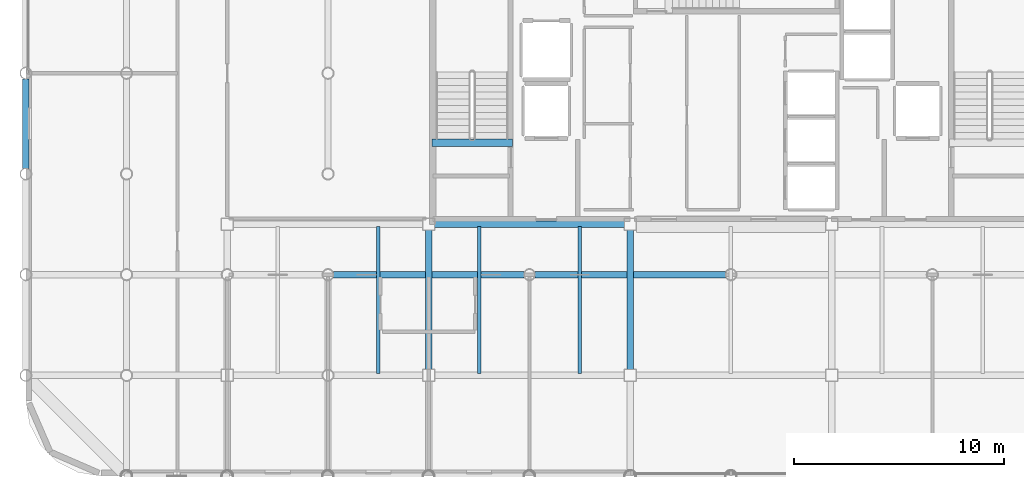
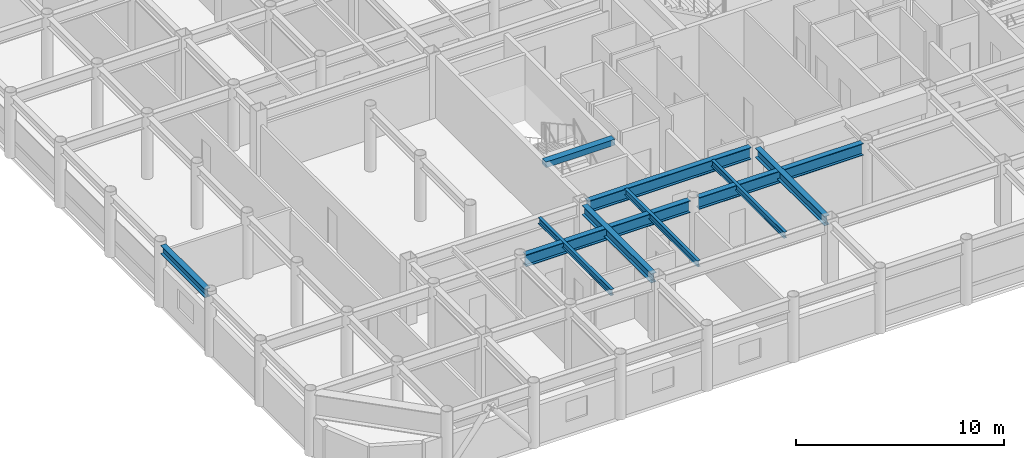
# One storey, part 5 of 22: 10 beams.
"""IFC4 building model written with IfcOpenShell, lengths in metres."""

from ifc_helpers import new_model, si_unit, direction, frame, origin, origin_2d, place, context, subcontext, project, spatial, rectangle, i_section, extrude, material, material_profile, profile_set, type_object, element, save


model = new_model("IFC4")

# Units and contexts
model_context = context("Model", 3, precision=1e-05, world=origin(), true_north=direction((0.0, 1.0)))
body_context = subcontext(model_context, "Body", "Model", "MODEL_VIEW")
ifc_project = project(units=[si_unit("LENGTHUNIT", "METRE"), si_unit("AREAUNIT", "SQUARE_METRE"), si_unit("VOLUMEUNIT", "CUBIC_METRE"), si_unit("PLANEANGLEUNIT", "RADIAN"), si_unit("MASSUNIT", "GRAM", prefix="KILO")], contexts=[model_context])

# Site, building, storey
site_placement = place(None, origin())
site = spatial("IfcSite", under=ifc_project, at=site_placement, CompositionType="ELEMENT")
building_placement = place(site_placement, origin())
building = spatial("IfcBuilding", under=site, at=building_placement, Name="Kallvorn Hotel Tower", CompositionType="ELEMENT")
storey_placement = place(building_placement, frame((0.0, 0.0, 260.800048828125)))
storey = spatial("IfcBuildingStorey", under=building, at=storey_placement, Name="L65", CompositionType="ELEMENT", Elevation=260.800048828125)

# Beams
ifc_material_1 = material(Name="Structural steel S355JR", Category="steel")
ifc_material_profile_1 = material_profile(ifc_material_1, i_section(OverallWidth=0.300048828125, OverallDepth=0.5, WebThickness=0.014404296875, FlangeThickness=0.028076171875, at=origin_2d()), Name="HE 500 B")
ifc_profile_set_1 = profile_set([ifc_material_profile_1], Name="Structural steel S355JR")
beam_type_1 = type_object("IfcBeamType", Name="BM_HE500B", PredefinedType="SPANDREL", material=ifc_profile_set_1)
beam_1_placement = place(storey_placement, frame((-33.60009765625, -4.530517578125, 3.419921875), z_axis=(0.0, 1.0, 0.0), x_axis=(-1.0, 0.0, 0.0)))
element("IfcBeam", 1, at=beam_1_placement, inside=storey, type_object=beam_type_1, Name="L66 Perimeter Spandrel 176", PredefinedType="SPANDREL", context=body_context, shape_type="SweptSolid", body=[
    extrude(i_section(OverallWidth=0.300048828125, OverallDepth=0.5, WebThickness=0.014404296875, FlangeThickness=0.028076171875, at=origin_2d()), origin(), (0.0, 0.0, 1.0), 4.260986328125),
])
ifc_material_2 = material(Name="Structural steel S355JR", Category="steel")
ifc_material_profile_2 = material_profile(ifc_material_2, i_section(OverallWidth=0.300048828125, OverallDepth=0.550048828125, WebThickness=0.014892578125, FlangeThickness=0.029052734375, at=origin_2d()), Name="HE 550 B")
ifc_profile_set_2 = profile_set([ifc_material_profile_2], Name="Structural steel S355JR")
beam_type_2 = type_object("IfcBeamType", Name="BM_HE550B", PredefinedType="SPANDREL", material=ifc_profile_set_2)
for number, where, z_axis, x_axis, name in (
    (2, (-14.39990234375, -14.125, 3.39501953125), (0.0, 1.0, 0.0), (-1.0, 0.0, 0.0), "L66 Primary Y-Girder 99"),
    (3, (-4.800048828125, -14.125, 3.39501953125), (0.0, 1.0, 0.0), (-1.0, 0.0, 0.0), "L66 Primary Y-Girder 107"),
):
    element("IfcBeam", number, at=place(storey_placement, frame(where, z_axis=z_axis, x_axis=x_axis)), inside=storey, type_object=beam_type_2, Name=name, PredefinedType="SPANDREL", context=body_context, shape_type="SweptSolid", body=[
        extrude(i_section(OverallWidth=0.300048828125, OverallDepth=0.550048828125, WebThickness=0.014892578125, FlangeThickness=0.029052734375, at=origin_2d()), origin(), (0.0, 0.0, 1.0), 6.64990234375),
    ])
ifc_material_3 = material(Name="Structural steel S355JR", Category="steel")
ifc_material_profile_3 = material_profile(ifc_material_3, i_section(OverallWidth=0.300048828125, OverallDepth=0.699951171875, WebThickness=0.01708984375, FlangeThickness=0.031982421875, at=origin_2d()), Name="HE 700 B")
ifc_profile_set_3 = profile_set([ifc_material_profile_3], Name="Structural steel S355JR")
beam_type_3 = type_object("IfcBeamType", Name="BM_HE700B", PredefinedType="BEAM", material=ifc_profile_set_3)
for number, where, z_axis, x_axis, name in (
    (4, (-18.945556640625, -9.60009765625, 3.320068359375), (1.0, 0.0, 0.0), (0.0, 1.0, 0.0), "L66 Primary X-Girder 26"),
    (5, (-9.345458984375, -9.60009765625, 3.320068359375), (1.0, 0.0, 0.0), (0.0, 1.0, 0.0), "L66 Primary X-Girder 27"),
):
    element("IfcBeam", number, at=place(storey_placement, frame(where, z_axis=z_axis, x_axis=x_axis)), inside=storey, type_object=beam_type_3, Name=name, PredefinedType="BEAM", context=body_context, shape_type="SweptSolid", body=[
        extrude(i_section(OverallWidth=0.300048828125, OverallDepth=0.699951171875, WebThickness=0.01708984375, FlangeThickness=0.031982421875, at=origin_2d()), origin(), (0.0, 0.0, 1.0), 9.091064453125),
    ])
beam_2_placement = place(storey_placement, frame((-14.125, -7.199951171875, 3.320068359375), z_axis=(1.0, 0.0, 0.0), x_axis=(0.0, 1.0, 0.0)))
element("IfcBeam", 6, at=beam_2_placement, inside=storey, type_object=beam_type_3, Name="L66 Primary X-Girder 33", PredefinedType="BEAM", context=body_context, shape_type="SweptSolid", body=[
    extrude(i_section(OverallWidth=0.300048828125, OverallDepth=0.699951171875, WebThickness=0.01708984375, FlangeThickness=0.031982421875, at=origin_2d()), origin(), (0.0, 0.0, 1.0), 9.050048828125),
])
ifc_material_4 = material(Name="Structural steel S355JR", Category="steel")
ifc_material_profile_4 = material_profile(ifc_material_4, i_section(OverallWidth=0.169921875, OverallDepth=0.360107421875, WebThickness=0.008056640625, FlangeThickness=0.0126953125, at=origin_2d()), Name="IPE 360")
ifc_profile_set_4 = profile_set([ifc_material_profile_4], Name="Structural steel S355JR")
beam_type_4 = type_object("IfcBeamType", Name="BM_IPE360", PredefinedType="JOIST", material=ifc_profile_set_4)
for number, where, z_axis, x_axis, name in (
    (7, (-16.800048828125, -14.300048828125, 3.489990234375), (0.0, 1.0, 0.0), (-1.0, 0.0, 0.0), "L66 Secondary Composite Joist 194"),
    (8, (-12.0, -14.300048828125, 3.489990234375), (0.0, 1.0, 0.0), (-1.0, 0.0, 0.0), "L66 Secondary Composite Joist 196"),
    (9, (-7.199951171875, -14.300048828125, 3.489990234375), (0.0, 1.0, 0.0), (-1.0, 0.0, 0.0), "L66 Secondary Composite Joist 198"),
):
    element("IfcBeam", number, at=place(storey_placement, frame(where, z_axis=z_axis, x_axis=x_axis)), inside=storey, type_object=beam_type_4, Name=name, PredefinedType="JOIST", context=body_context, shape_type="SweptSolid", body=[
        extrude(i_section(OverallWidth=0.169921875, OverallDepth=0.360107421875, WebThickness=0.008056640625, FlangeThickness=0.0126953125, at=origin_2d()), origin(), (0.0, 0.0, 1.0), 7.0),
    ])
ifc_material_5 = material(Name="Concrete C50/60", Category="concrete")
ifc_material_profile_5 = material_profile(ifc_material_5, rectangle(XDim=0.360107421875, YDim=0.340087890625, at=origin_2d()), Name="RC 360x340")
ifc_profile_set_5 = profile_set([ifc_material_profile_5], Name="Concrete C50/60")
beam_type_5 = type_object("IfcBeamType", Name="BM_RC_400x360", PredefinedType="BEAM", material=ifc_profile_set_5)
beam_3_placement = place(storey_placement, frame((-10.419921875, -3.31005859375, 3.5), z_axis=(-1.0, 0.0, 0.0), x_axis=(0.0, -1.0, 0.0)))
element("IfcBeam", 10, at=beam_3_placement, inside=storey, type_object=beam_type_5, Name="L66 Stair ST1 Arrival Trimmer Beam", PredefinedType="BEAM", context=body_context, shape_type="SweptSolid", body=[
    extrude(rectangle(XDim=0.360107421875, YDim=0.340087890625, at=origin_2d()), origin(), (0.0, 0.0, 1.0), 3.820068359375),
])

save(model, "model.ifc")
